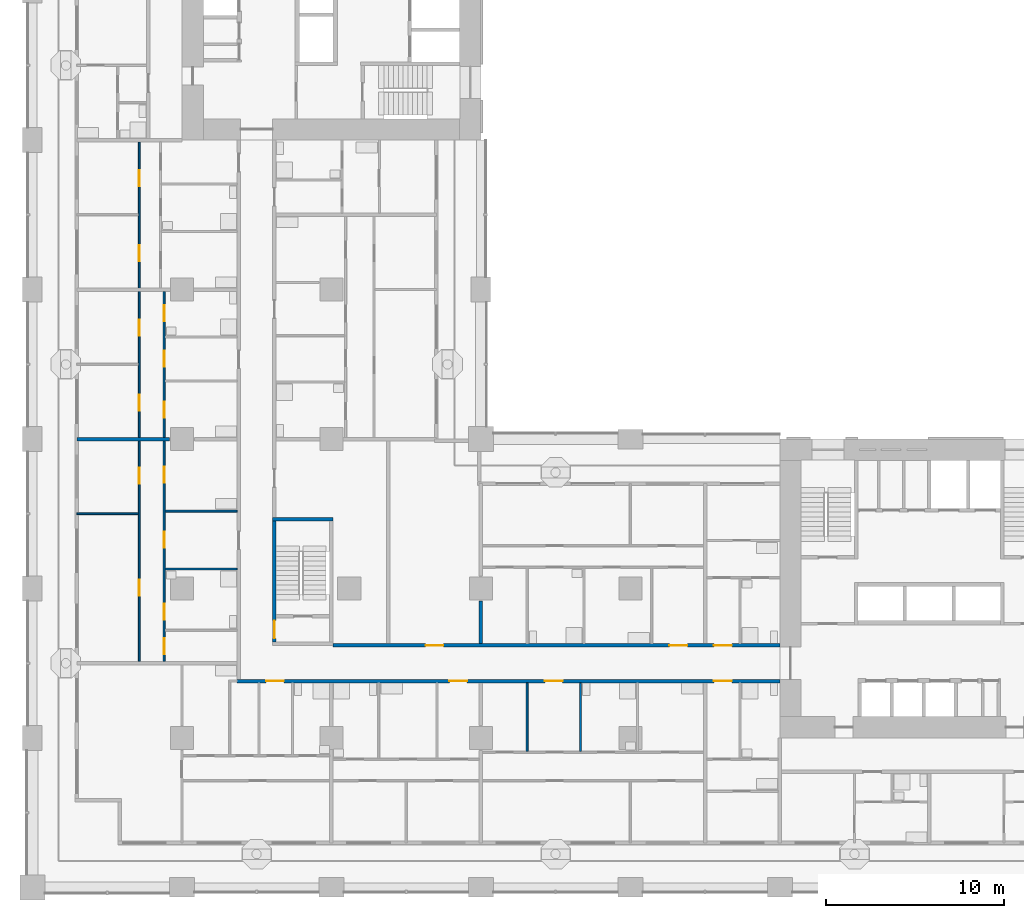
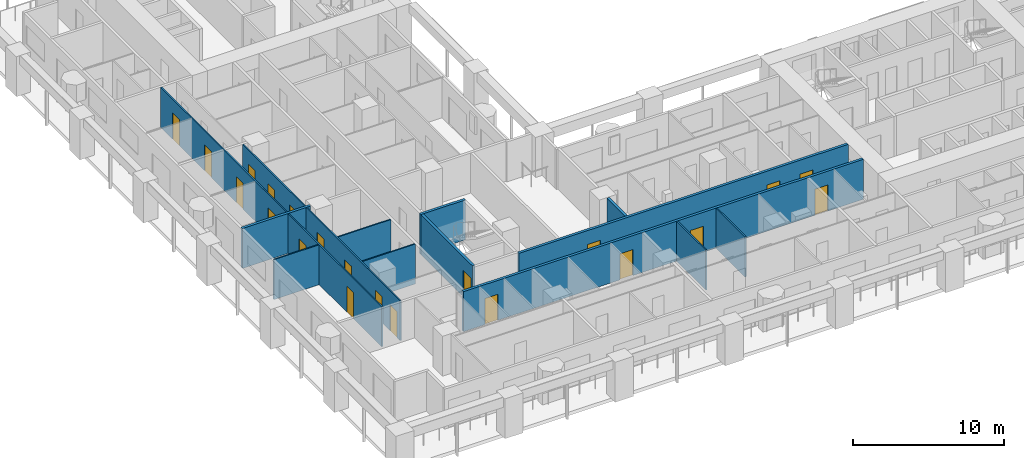
# One storey, part 3 of 22: 21 doors, 13 walls, 21 openings.
"""IFC4 building model written with IfcOpenShell, lengths in metres."""

from ifc_helpers import new_model, si_unit, direction, frame, frame_2d, origin, place, context, subcontext, project, spatial, rectangle, extrude, material, layer, layer_set, type_object, element, fill, save


model = new_model("IFC4")

# Units and contexts
model_context = context("Model", 3, precision=1e-05, world=origin(), true_north=direction((0.0, 1.0)))
body_context = subcontext(model_context, "Body", "Model", "MODEL_VIEW")
ifc_project = project(units=[si_unit("LENGTHUNIT", "METRE"), si_unit("AREAUNIT", "SQUARE_METRE"), si_unit("VOLUMEUNIT", "CUBIC_METRE"), si_unit("PLANEANGLEUNIT", "RADIAN"), si_unit("MASSUNIT", "GRAM", prefix="KILO")], contexts=[model_context])

# Site, building, storey
site_placement = place(None, origin())
site = spatial("IfcSite", under=ifc_project, at=site_placement, CompositionType="ELEMENT")
building_placement = place(site_placement, origin())
building = spatial("IfcBuilding", under=site, at=building_placement, Name="Vermilion Gate Residences", CompositionType="ELEMENT")
storey_placement = place(building_placement, frame((0.0, 0.0, 60.199951171875)))
storey = spatial("IfcBuildingStorey", under=building, at=storey_placement, Name="L14", CompositionType="ELEMENT", Elevation=60.199951171875)

# Walls
ifc_material_1 = material(Name="Plasterboard on steel studs", Category="steel")
ifc_layer_1 = layer(ifc_material_1, 0.10009765625)
ifc_layer_set_1 = layer_set([ifc_layer_1], Name="PARTITION 100")
wall_type_1 = type_object("IfcWallType", Name="PARTITION 100", PredefinedType="PARTITIONING", material=ifc_layer_set_1)
wall_1_placement = place(storey_placement, frame((7.449951171875, 17.89990234375, 0.0), z_axis=(0.0, 0.0, 1.0), x_axis=(1.0, 0.0, 0.0)))
element("IfcWall", 1, at=wall_1_placement, inside=storey, type_object=wall_type_1, Name="Partition", PredefinedType="PARTITIONING", context=body_context, shape_type="SweptSolid", body=[
    extrude(rectangle(XDim=4.050048828125, YDim=0.10009765625, at=frame_2d((2.02490234375, 0.0))), origin(), (0.0, 0.0, 1.0), 3.219970703125),
])
wall_2_placement = place(storey_placement, frame((2.5, 21.0, 0.0), z_axis=(0.0, 0.0, 1.0), x_axis=(1.0, 0.0, 0.0)))
element("IfcWall", 2, at=wall_2_placement, inside=storey, type_object=wall_type_1, Name="Partition", PredefinedType="PARTITIONING", context=body_context, shape_type="SweptSolid", body=[
    extrude(rectangle(XDim=3.449951171875, YDim=0.10009765625, at=frame_2d((1.72509765625, 0.0))), origin(), (0.0, 0.0, 1.0), 3.219970703125),
])
wall_3_placement = place(storey_placement, frame((7.449951171875, 21.14990234375, 0.0), z_axis=(0.0, 0.0, 1.0), x_axis=(1.0, 0.0, 0.0)))
element("IfcWall", 3, at=wall_3_placement, inside=storey, type_object=wall_type_1, Name="Partition", PredefinedType="PARTITIONING", context=body_context, shape_type="SweptSolid", body=[
    extrude(rectangle(XDim=4.050048828125, YDim=0.10009765625, at=frame_2d((2.02490234375, 0.0))), origin(), (0.0, 0.0, 1.0), 3.219970703125),
])

# Wall, openings, doors
wall_4_placement = place(storey_placement, frame((6.0, 12.699951171875, 0.0), z_axis=(0.0, 0.0, 1.0), x_axis=(0.0, 1.0, 0.0)))
wall_4 = element("IfcWall", 4, at=wall_4_placement, inside=storey, type_object=wall_type_1, Name="Partition", PredefinedType="PARTITIONING", context=body_context, shape_type="SweptSolid", body=[
    extrude(rectangle(XDim=29.199951171875, YDim=0.10009765625, at=frame_2d((14.60009765625, 0.0))), origin(), (0.0, 0.0, 1.0), 3.219970703125),
])
opening_1_placement = place(wall_4_placement, frame((3.699951171875, 0.0, 0.0)))
opening_1 = element("IfcOpeningElement", 5, at=opening_1_placement, cuts=wall_4, Name="Opening DA13047", PredefinedType="OPENING", context=body_context, shape_type="SweptSolid", body=[
    extrude(rectangle(XDim=0.89990234375, YDim=2.10009765625, at=frame_2d((0.449951171875, 1.050048828125))), frame((0.0, 0.06005859375, 0.0), z_axis=(0.0, -1.0, 0.0), x_axis=(1.0, 0.0, 0.0)), (0.0, 0.0, 1.0), 0.1201171875),
])
opening_2_placement = place(wall_4_placement, frame((10.0, 0.0, 0.0)))
opening_2 = element("IfcOpeningElement", 6, at=opening_2_placement, cuts=wall_4, Name="Opening DA13048", PredefinedType="OPENING", context=body_context, shape_type="SweptSolid", body=[
    extrude(rectangle(XDim=0.89990234375, YDim=2.10009765625, at=frame_2d((0.449951171875, 1.050048828125))), frame((0.0, 0.06005859375, 0.0), z_axis=(0.0, -1.0, 0.0), x_axis=(1.0, 0.0, 0.0)), (0.0, 0.0, 1.0), 0.1201171875),
])
opening_3_placement = place(wall_4_placement, frame((14.10009765625, 0.0, 0.0)))
opening_3 = element("IfcOpeningElement", 7, at=opening_3_placement, cuts=wall_4, Name="Opening DA13049", PredefinedType="OPENING", context=body_context, shape_type="SweptSolid", body=[
    extrude(rectangle(XDim=0.89990234375, YDim=2.10009765625, at=frame_2d((0.449951171875, 1.050048828125))), frame((0.0, 0.06005859375, 0.0), z_axis=(0.0, -1.0, 0.0), x_axis=(1.0, 0.0, 0.0)), (0.0, 0.0, 1.0), 0.1201171875),
])
opening_4_placement = place(wall_4_placement, frame((18.300048828125, 0.0, 0.0)))
opening_4 = element("IfcOpeningElement", 8, at=opening_4_placement, cuts=wall_4, Name="Opening DA13050", PredefinedType="OPENING", context=body_context, shape_type="SweptSolid", body=[
    extrude(rectangle(XDim=0.89990234375, YDim=2.10009765625, at=frame_2d((0.449951171875, 1.050048828125))), frame((0.0, 0.06005859375, 0.0), z_axis=(0.0, -1.0, 0.0), x_axis=(1.0, 0.0, 0.0)), (0.0, 0.0, 1.0), 0.1201171875),
])
opening_5_placement = place(wall_4_placement, frame((22.5, 0.0, 0.0)))
opening_5 = element("IfcOpeningElement", 9, at=opening_5_placement, cuts=wall_4, Name="Opening DA13051", PredefinedType="OPENING", context=body_context, shape_type="SweptSolid", body=[
    extrude(rectangle(XDim=0.89990234375, YDim=2.10009765625, at=frame_2d((0.449951171875, 1.050048828125))), frame((0.0, 0.06005859375, 0.0), z_axis=(0.0, -1.0, 0.0), x_axis=(1.0, 0.0, 0.0)), (0.0, 0.0, 1.0), 0.1201171875),
])
opening_6_placement = place(wall_4_placement, frame((26.699951171875, 0.0, 0.0)))
opening_6 = element("IfcOpeningElement", 10, at=opening_6_placement, cuts=wall_4, Name="Opening DA13052", PredefinedType="OPENING", context=body_context, shape_type="SweptSolid", body=[
    extrude(rectangle(XDim=0.89990234375, YDim=2.10009765625, at=frame_2d((0.449951171875, 1.050048828125))), frame((0.0, 0.06005859375, 0.0), z_axis=(0.0, -1.0, 0.0), x_axis=(1.0, 0.0, 0.0)), (0.0, 0.0, 1.0), 0.1201171875),
])
ifc_material_2 = material(Name="Timber", Category="wood")
door_type_1 = type_object("IfcDoorType", Name="INTERIOR DOOR 900 X 2100", OperationType="SINGLE_SWING_LEFT", PredefinedType="DOOR", material=ifc_material_2)
door_1_placement = place(opening_1_placement, origin())
door_1 = element("IfcDoor", 11, at=door_1_placement, inside=storey, type_object=door_type_1, Name="Interior door", OperationType="SINGLE_SWING_LEFT", OverallHeight=2.10009765625, OverallWidth=0.89990234375, PredefinedType="DOOR", context=body_context, shape_type="SweptSolid", body=[
    extrude(rectangle(XDim=0.89990234375, YDim=2.10009765625, at=frame_2d((0.449951171875, 1.050048828125))), frame((0.0, 0.02490234375, 0.0), z_axis=(0.0, -1.0, 0.0), x_axis=(1.0, 0.0, 0.0)), (0.0, 0.0, 1.0), 0.050048828125),
])
fill(opening_1, door_1)
door_2_placement = place(opening_2_placement, origin())
door_2 = element("IfcDoor", 12, at=door_2_placement, inside=storey, type_object=door_type_1, Name="Interior door", OperationType="SINGLE_SWING_RIGHT", OverallHeight=2.10009765625, OverallWidth=0.89990234375, PredefinedType="DOOR", context=body_context, shape_type="SweptSolid", body=[
    extrude(rectangle(XDim=0.89990234375, YDim=2.10009765625, at=frame_2d((0.449951171875, 1.050048828125))), frame((0.0, 0.02490234375, 0.0), z_axis=(0.0, -1.0, 0.0), x_axis=(1.0, 0.0, 0.0)), (0.0, 0.0, 1.0), 0.050048828125),
])
fill(opening_2, door_2)
door_3_placement = place(opening_3_placement, origin())
door_3 = element("IfcDoor", 13, at=door_3_placement, inside=storey, type_object=door_type_1, Name="Interior door", OperationType="SINGLE_SWING_LEFT", OverallHeight=2.10009765625, OverallWidth=0.89990234375, PredefinedType="DOOR", context=body_context, shape_type="SweptSolid", body=[
    extrude(rectangle(XDim=0.89990234375, YDim=2.10009765625, at=frame_2d((0.449951171875, 1.050048828125))), frame((0.0, 0.02490234375, 0.0), z_axis=(0.0, -1.0, 0.0), x_axis=(1.0, 0.0, 0.0)), (0.0, 0.0, 1.0), 0.050048828125),
])
fill(opening_3, door_3)
door_4_placement = place(opening_4_placement, origin())
door_4 = element("IfcDoor", 14, at=door_4_placement, inside=storey, type_object=door_type_1, Name="Interior door", OperationType="SINGLE_SWING_LEFT", OverallHeight=2.10009765625, OverallWidth=0.89990234375, PredefinedType="DOOR", context=body_context, shape_type="SweptSolid", body=[
    extrude(rectangle(XDim=0.89990234375, YDim=2.10009765625, at=frame_2d((0.449951171875, 1.050048828125))), frame((0.0, 0.02490234375, 0.0), z_axis=(0.0, -1.0, 0.0), x_axis=(1.0, 0.0, 0.0)), (0.0, 0.0, 1.0), 0.050048828125),
])
fill(opening_4, door_4)
door_5_placement = place(opening_5_placement, origin())
door_5 = element("IfcDoor", 15, at=door_5_placement, inside=storey, type_object=door_type_1, Name="Interior door", OperationType="SINGLE_SWING_LEFT", OverallHeight=2.10009765625, OverallWidth=0.89990234375, PredefinedType="DOOR", context=body_context, shape_type="SweptSolid", body=[
    extrude(rectangle(XDim=0.89990234375, YDim=2.10009765625, at=frame_2d((0.449951171875, 1.050048828125))), frame((0.0, 0.02490234375, 0.0), z_axis=(0.0, -1.0, 0.0), x_axis=(1.0, 0.0, 0.0)), (0.0, 0.0, 1.0), 0.050048828125),
])
fill(opening_5, door_5)
door_6_placement = place(opening_6_placement, origin())
door_6 = element("IfcDoor", 16, at=door_6_placement, inside=storey, type_object=door_type_1, Name="Interior door", OperationType="SINGLE_SWING_LEFT", OverallHeight=2.10009765625, OverallWidth=0.89990234375, PredefinedType="DOOR", context=body_context, shape_type="SweptSolid", body=[
    extrude(rectangle(XDim=0.89990234375, YDim=2.10009765625, at=frame_2d((0.449951171875, 1.050048828125))), frame((0.0, 0.02490234375, 0.0), z_axis=(0.0, -1.0, 0.0), x_axis=(1.0, 0.0, 0.0)), (0.0, 0.0, 1.0), 0.050048828125),
])
fill(opening_6, door_6)

wall_5_placement = place(storey_placement, frame((7.39990234375, 12.699951171875, 0.0), z_axis=(0.0, 0.0, 1.0), x_axis=(0.0, 1.0, 0.0)))
wall_5 = element("IfcWall", 17, at=wall_5_placement, inside=storey, type_object=wall_type_1, Name="Partition", PredefinedType="PARTITIONING", context=body_context, shape_type="SweptSolid", body=[
    extrude(rectangle(XDim=20.800048828125, YDim=0.10009765625, at=frame_2d((10.39990234375, 0.0))), origin(), (0.0, 0.0, 1.0), 3.219970703125),
])
opening_7_placement = place(wall_5_placement, frame((6.39990234375, 0.0, 0.0)))
opening_7 = element("IfcOpeningElement", 18, at=opening_7_placement, cuts=wall_5, Name="Opening DA13058", PredefinedType="OPENING", context=body_context, shape_type="SweptSolid", body=[
    extrude(rectangle(XDim=0.89990234375, YDim=2.10009765625, at=frame_2d((0.449951171875, 1.050048828125))), frame((0.0, 0.06005859375, 0.0), z_axis=(0.0, -1.0, 0.0), x_axis=(1.0, 0.0, 0.0)), (0.0, 0.0, 1.0), 0.1201171875),
])
opening_8_placement = place(wall_5_placement, frame((0.39990234375, 0.0, 0.0)))
opening_8 = element("IfcOpeningElement", 19, at=opening_8_placement, cuts=wall_5, Name="Opening DA13059", PredefinedType="OPENING", context=body_context, shape_type="SweptSolid", body=[
    extrude(rectangle(XDim=0.89990234375, YDim=2.10009765625, at=frame_2d((0.449951171875, 1.050048828125))), frame((0.0, 0.06005859375, 0.0), z_axis=(0.0, -1.0, 0.0), x_axis=(1.0, 0.0, 0.0)), (0.0, 0.0, 1.0), 0.1201171875),
])
opening_9_placement = place(wall_5_placement, frame((2.35009765625, 0.0, 0.0)))
opening_9 = element("IfcOpeningElement", 20, at=opening_9_placement, cuts=wall_5, Name="Opening DA13060", PredefinedType="OPENING", context=body_context, shape_type="SweptSolid", body=[
    extrude(rectangle(XDim=0.89990234375, YDim=2.10009765625, at=frame_2d((0.449951171875, 1.050048828125))), frame((0.0, 0.06005859375, 0.0), z_axis=(0.0, -1.0, 0.0), x_axis=(1.0, 0.0, 0.0)), (0.0, 0.0, 1.0), 0.1201171875),
])
opening_10_placement = place(wall_5_placement, frame((10.050048828125, 0.0, 0.0)))
opening_10 = element("IfcOpeningElement", 21, at=opening_10_placement, cuts=wall_5, Name="Opening DA13061", PredefinedType="OPENING", context=body_context, shape_type="SweptSolid", body=[
    extrude(rectangle(XDim=0.89990234375, YDim=2.10009765625, at=frame_2d((0.449951171875, 1.050048828125))), frame((0.0, 0.06005859375, 0.0), z_axis=(0.0, -1.0, 0.0), x_axis=(1.0, 0.0, 0.0)), (0.0, 0.0, 1.0), 0.1201171875),
])
opening_11_placement = place(wall_5_placement, frame((16.56689453125, 0.0, 0.0)))
opening_11 = element("IfcOpeningElement", 22, at=opening_11_placement, cuts=wall_5, Name="Opening DA13062", PredefinedType="OPENING", context=body_context, shape_type="SweptSolid", body=[
    extrude(rectangle(XDim=0.89990234375, YDim=2.10009765625, at=frame_2d((0.449951171875, 1.050048828125))), frame((0.0, 0.06005859375, 0.0), z_axis=(0.0, -1.0, 0.0), x_axis=(1.0, 0.0, 0.0)), (0.0, 0.0, 1.0), 0.1201171875),
])
opening_12_placement = place(wall_5_placement, frame((13.699951171875, 0.0, 0.0)))
opening_12 = element("IfcOpeningElement", 23, at=opening_12_placement, cuts=wall_5, Name="Opening DA13063", PredefinedType="OPENING", context=body_context, shape_type="SweptSolid", body=[
    extrude(rectangle(XDim=0.89990234375, YDim=2.10009765625, at=frame_2d((0.449951171875, 1.050048828125))), frame((0.0, 0.06005859375, 0.0), z_axis=(0.0, -1.0, 0.0), x_axis=(1.0, 0.0, 0.0)), (0.0, 0.0, 1.0), 0.1201171875),
])
opening_13_placement = place(wall_5_placement, frame((19.133056640625, 0.0, 0.0)))
opening_13 = element("IfcOpeningElement", 24, at=opening_13_placement, cuts=wall_5, Name="Opening DA13064", PredefinedType="OPENING", context=body_context, shape_type="SweptSolid", body=[
    extrude(rectangle(XDim=0.89990234375, YDim=2.10009765625, at=frame_2d((0.449951171875, 1.050048828125))), frame((0.0, 0.06005859375, 0.0), z_axis=(0.0, -1.0, 0.0), x_axis=(1.0, 0.0, 0.0)), (0.0, 0.0, 1.0), 0.1201171875),
])
door_7_placement = place(opening_7_placement, frame((0.89990234375, 0.0, 0.0), z_axis=(0.0, 0.0, 1.0), x_axis=(-1.0, 0.0, 0.0)))
door_7 = element("IfcDoor", 25, at=door_7_placement, inside=storey, type_object=door_type_1, Name="Interior door", OperationType="SINGLE_SWING_LEFT", OverallHeight=2.10009765625, OverallWidth=0.89990234375, PredefinedType="DOOR", context=body_context, shape_type="SweptSolid", body=[
    extrude(rectangle(XDim=0.89990234375, YDim=2.10009765625, at=frame_2d((0.449951171875, 1.050048828125))), frame((0.0, 0.02490234375, 0.0), z_axis=(0.0, -1.0, 0.0), x_axis=(1.0, 0.0, 0.0)), (0.0, 0.0, 1.0), 0.050048828125),
])
fill(opening_7, door_7)
door_8_placement = place(opening_8_placement, frame((0.89990234375, 0.0, 0.0), z_axis=(0.0, 0.0, 1.0), x_axis=(-1.0, 0.0, 0.0)))
door_8 = element("IfcDoor", 26, at=door_8_placement, inside=storey, type_object=door_type_1, Name="Interior door", OperationType="SINGLE_SWING_LEFT", OverallHeight=2.10009765625, OverallWidth=0.89990234375, PredefinedType="DOOR", context=body_context, shape_type="SweptSolid", body=[
    extrude(rectangle(XDim=0.89990234375, YDim=2.10009765625, at=frame_2d((0.449951171875, 1.050048828125))), frame((0.0, 0.02490234375, 0.0), z_axis=(0.0, -1.0, 0.0), x_axis=(1.0, 0.0, 0.0)), (0.0, 0.0, 1.0), 0.050048828125),
])
fill(opening_8, door_8)
door_9_placement = place(opening_9_placement, frame((0.89990234375, 0.0, 0.0), z_axis=(0.0, 0.0, 1.0), x_axis=(-1.0, 0.0, 0.0)))
door_9 = element("IfcDoor", 27, at=door_9_placement, inside=storey, type_object=door_type_1, Name="Interior door", OperationType="SINGLE_SWING_RIGHT", OverallHeight=2.10009765625, OverallWidth=0.89990234375, PredefinedType="DOOR", context=body_context, shape_type="SweptSolid", body=[
    extrude(rectangle(XDim=0.89990234375, YDim=2.10009765625, at=frame_2d((0.449951171875, 1.050048828125))), frame((0.0, 0.02490234375, 0.0), z_axis=(0.0, -1.0, 0.0), x_axis=(1.0, 0.0, 0.0)), (0.0, 0.0, 1.0), 0.050048828125),
])
fill(opening_9, door_9)
door_10_placement = place(opening_10_placement, frame((0.89990234375, 0.0, 0.0), z_axis=(0.0, 0.0, 1.0), x_axis=(-1.0, 0.0, 0.0)))
door_10 = element("IfcDoor", 28, at=door_10_placement, inside=storey, type_object=door_type_1, Name="Interior door", OperationType="SINGLE_SWING_LEFT", OverallHeight=2.10009765625, OverallWidth=0.89990234375, PredefinedType="DOOR", context=body_context, shape_type="SweptSolid", body=[
    extrude(rectangle(XDim=0.89990234375, YDim=2.10009765625, at=frame_2d((0.449951171875, 1.050048828125))), frame((0.0, 0.02490234375, 0.0), z_axis=(0.0, -1.0, 0.0), x_axis=(1.0, 0.0, 0.0)), (0.0, 0.0, 1.0), 0.050048828125),
])
fill(opening_10, door_10)
door_11_placement = place(opening_11_placement, frame((0.89990234375, 0.0, 0.0), z_axis=(0.0, 0.0, 1.0), x_axis=(-1.0, 0.0, 0.0)))
door_11 = element("IfcDoor", 29, at=door_11_placement, inside=storey, type_object=door_type_1, Name="Interior door", OperationType="SINGLE_SWING_LEFT", OverallHeight=2.10009765625, OverallWidth=0.89990234375, PredefinedType="DOOR", context=body_context, shape_type="SweptSolid", body=[
    extrude(rectangle(XDim=0.89990234375, YDim=2.10009765625, at=frame_2d((0.449951171875, 1.050048828125))), frame((0.0, 0.02490234375, 0.0), z_axis=(0.0, -1.0, 0.0), x_axis=(1.0, 0.0, 0.0)), (0.0, 0.0, 1.0), 0.050048828125),
])
fill(opening_11, door_11)
door_12_placement = place(opening_12_placement, frame((0.89990234375, 0.0, 0.0), z_axis=(0.0, 0.0, 1.0), x_axis=(-1.0, 0.0, 0.0)))
door_12 = element("IfcDoor", 30, at=door_12_placement, inside=storey, type_object=door_type_1, Name="Interior door", OperationType="SINGLE_SWING_RIGHT", OverallHeight=2.10009765625, OverallWidth=0.89990234375, PredefinedType="DOOR", context=body_context, shape_type="SweptSolid", body=[
    extrude(rectangle(XDim=0.89990234375, YDim=2.10009765625, at=frame_2d((0.449951171875, 1.050048828125))), frame((0.0, 0.02490234375, 0.0), z_axis=(0.0, -1.0, 0.0), x_axis=(1.0, 0.0, 0.0)), (0.0, 0.0, 1.0), 0.050048828125),
])
fill(opening_12, door_12)
door_13_placement = place(opening_13_placement, frame((0.89990234375, 0.0, 0.0), z_axis=(0.0, 0.0, 1.0), x_axis=(-1.0, 0.0, 0.0)))
door_13 = element("IfcDoor", 31, at=door_13_placement, inside=storey, type_object=door_type_1, Name="Interior door", OperationType="SINGLE_SWING_RIGHT", OverallHeight=2.10009765625, OverallWidth=0.89990234375, PredefinedType="DOOR", context=body_context, shape_type="SweptSolid", body=[
    extrude(rectangle(XDim=0.89990234375, YDim=2.10009765625, at=frame_2d((0.449951171875, 1.050048828125))), frame((0.0, 0.02490234375, 0.0), z_axis=(0.0, -1.0, 0.0), x_axis=(1.0, 0.0, 0.0)), (0.0, 0.0, 1.0), 0.050048828125),
])
fill(opening_13, door_13)

# Walls
for number, where, z_axis, x_axis, name in (
    (32, (27.800048828125, 7.64990234375, 0.0), (0.0, 0.0, 1.0), (0.0, 1.0, 0.0), "Partition"),
    (33, (30.800048828125, 7.64990234375, 0.0), (0.0, 0.0, 1.0), (0.0, 1.0, 0.0), "Partition"),
):
    element("IfcWall", number, at=place(storey_placement, frame(where, z_axis=z_axis, x_axis=x_axis)), inside=storey, type_object=wall_type_1, Name=name, PredefinedType="PARTITIONING", context=body_context, shape_type="SweptSolid", body=[
        extrude(rectangle(XDim=3.85009765625, YDim=0.10009765625, at=frame_2d((1.925048828125, 0.0))), origin(), (0.0, 0.0, 1.0), 3.219970703125),
    ])

# Wall, openings, doors
ifc_material_3 = material(Name="Fire-rated plasterboard on steel studs", Category="steel")
ifc_layer_2 = layer(ifc_material_3, 0.199951171875)
ifc_layer_set_2 = layer_set([ifc_layer_2], Name="PARTY WALL 200 EI 120")
wall_type_2 = type_object("IfcWallType", Name="PARTY WALL 200 EI 120", PredefinedType="PARTITIONING", material=ifc_layer_set_2)
wall_6_placement = place(storey_placement, frame((11.5, 11.60009765625, 0.0), z_axis=(0.0, 0.0, 1.0), x_axis=(1.0, 0.0, 0.0)))
wall_6 = element("IfcWall", 34, at=wall_6_placement, inside=storey, type_object=wall_type_2, Name="Party and corridor wall", PredefinedType="PARTITIONING", context=body_context, shape_type="SweptSolid", body=[
    extrude(rectangle(XDim=30.5, YDim=0.199951171875, at=frame_2d((15.25, 0.0))), origin(), (0.0, 0.0, 1.0), 3.219970703125),
])
opening_14_placement = place(wall_6_placement, frame((1.6259765625, 0.0, 0.0)))
opening_14 = element("IfcOpeningElement", 35, at=opening_14_placement, cuts=wall_6, Name="Opening DA13027", PredefinedType="OPENING", context=body_context, shape_type="SweptSolid", body=[
    extrude(rectangle(XDim=1.0, YDim=2.10009765625, at=frame_2d((0.5, 1.050048828125))), frame((0.0, 0.10986328125, 0.0), z_axis=(0.0, -1.0, 0.0), x_axis=(1.0, 0.0, 0.0)), (0.0, 0.0, 1.0), 0.219970703125),
])
opening_15_placement = place(wall_6_placement, frame((11.93310546875, 0.0, 0.0)))
opening_15 = element("IfcOpeningElement", 36, at=opening_15_placement, cuts=wall_6, Name="Opening DA13028", PredefinedType="OPENING", context=body_context, shape_type="SweptSolid", body=[
    extrude(rectangle(XDim=1.0, YDim=2.10009765625, at=frame_2d((0.5, 1.050048828125))), frame((0.0, 0.10986328125, 0.0), z_axis=(0.0, -1.0, 0.0), x_axis=(1.0, 0.0, 0.0)), (0.0, 0.0, 1.0), 0.219970703125),
])
opening_16_placement = place(wall_6_placement, frame((17.300048828125, 0.0, 0.0)))
opening_16 = element("IfcOpeningElement", 37, at=opening_16_placement, cuts=wall_6, Name="Opening DA13029", PredefinedType="OPENING", context=body_context, shape_type="SweptSolid", body=[
    extrude(rectangle(XDim=1.0, YDim=2.10009765625, at=frame_2d((0.5, 1.050048828125))), frame((0.0, 0.10986328125, 0.0), z_axis=(0.0, -1.0, 0.0), x_axis=(1.0, 0.0, 0.0)), (0.0, 0.0, 1.0), 0.219970703125),
])
opening_17_placement = place(wall_6_placement, frame((26.800048828125, 0.0, 0.0)))
opening_17 = element("IfcOpeningElement", 38, at=opening_17_placement, cuts=wall_6, Name="Opening DA13030", PredefinedType="OPENING", context=body_context, shape_type="SweptSolid", body=[
    extrude(rectangle(XDim=1.0, YDim=2.10009765625, at=frame_2d((0.5, 1.050048828125))), frame((0.0, 0.10986328125, 0.0), z_axis=(0.0, -1.0, 0.0), x_axis=(1.0, 0.0, 0.0)), (0.0, 0.0, 1.0), 0.219970703125),
])
ifc_material_4 = material(Name="Steel", Category="steel")
door_type_2 = type_object("IfcDoorType", Name="ENTRANCE DOOR 1000 X 2100 FD30", OperationType="SINGLE_SWING_LEFT", PredefinedType="DOOR", material=ifc_material_4)
door_14_placement = place(opening_14_placement, frame((1.0, 0.0, 0.0), z_axis=(0.0, 0.0, 1.0), x_axis=(-1.0, 0.0, 0.0)))
door_14 = element("IfcDoor", 39, at=door_14_placement, inside=storey, type_object=door_type_2, Name="Entrance door", OperationType="SINGLE_SWING_RIGHT", OverallHeight=2.10009765625, OverallWidth=1.0, PredefinedType="DOOR", context=body_context, shape_type="SweptSolid", body=[
    extrude(rectangle(XDim=1.0, YDim=2.10009765625, at=frame_2d((0.5, 1.050048828125))), frame((0.0, 0.02490234375, 0.0), z_axis=(0.0, -1.0, 0.0), x_axis=(1.0, 0.0, 0.0)), (0.0, 0.0, 1.0), 0.050048828125),
])
fill(opening_14, door_14)
door_15_placement = place(opening_15_placement, frame((1.0, 0.0, 0.0), z_axis=(0.0, 0.0, 1.0), x_axis=(-1.0, 0.0, 0.0)))
door_15 = element("IfcDoor", 40, at=door_15_placement, inside=storey, type_object=door_type_2, Name="Entrance door", OperationType="SINGLE_SWING_RIGHT", OverallHeight=2.10009765625, OverallWidth=1.0, PredefinedType="DOOR", context=body_context, shape_type="SweptSolid", body=[
    extrude(rectangle(XDim=1.0, YDim=2.10009765625, at=frame_2d((0.5, 1.050048828125))), frame((0.0, 0.02490234375, 0.0), z_axis=(0.0, -1.0, 0.0), x_axis=(1.0, 0.0, 0.0)), (0.0, 0.0, 1.0), 0.050048828125),
])
fill(opening_15, door_15)
door_16_placement = place(opening_16_placement, frame((1.0, 0.0, 0.0), z_axis=(0.0, 0.0, 1.0), x_axis=(-1.0, 0.0, 0.0)))
door_16 = element("IfcDoor", 41, at=door_16_placement, inside=storey, type_object=door_type_2, Name="Entrance door", OperationType="SINGLE_SWING_LEFT", OverallHeight=2.10009765625, OverallWidth=1.0, PredefinedType="DOOR", context=body_context, shape_type="SweptSolid", body=[
    extrude(rectangle(XDim=1.0, YDim=2.10009765625, at=frame_2d((0.5, 1.050048828125))), frame((0.0, 0.02490234375, 0.0), z_axis=(0.0, -1.0, 0.0), x_axis=(1.0, 0.0, 0.0)), (0.0, 0.0, 1.0), 0.050048828125),
])
fill(opening_16, door_16)
door_17_placement = place(opening_17_placement, frame((1.0, 0.0, 0.0), z_axis=(0.0, 0.0, 1.0), x_axis=(-1.0, 0.0, 0.0)))
door_17 = element("IfcDoor", 42, at=door_17_placement, inside=storey, type_object=door_type_2, Name="Entrance door", OperationType="SINGLE_SWING_RIGHT", OverallHeight=2.10009765625, OverallWidth=1.0, PredefinedType="DOOR", context=body_context, shape_type="SweptSolid", body=[
    extrude(rectangle(XDim=1.0, YDim=2.10009765625, at=frame_2d((0.5, 1.050048828125))), frame((0.0, 0.02490234375, 0.0), z_axis=(0.0, -1.0, 0.0), x_axis=(1.0, 0.0, 0.0)), (0.0, 0.0, 1.0), 0.050048828125),
])
fill(opening_17, door_17)

wall_7_placement = place(storey_placement, frame((16.89990234375, 13.60009765625, 0.0), z_axis=(0.0, 0.0, 1.0), x_axis=(1.0, 0.0, 0.0)))
wall_7 = element("IfcWall", 43, at=wall_7_placement, inside=storey, type_object=wall_type_2, Name="Party and corridor wall", PredefinedType="PARTITIONING", context=body_context, shape_type="SweptSolid", body=[
    extrude(rectangle(XDim=25.10009765625, YDim=0.199951171875, at=frame_2d((12.550048828125, 0.0))), origin(), (0.0, 0.0, 1.0), 3.219970703125),
])
opening_18_placement = place(wall_7_placement, frame((18.89990234375, 0.0, 0.0)))
opening_18 = element("IfcOpeningElement", 44, at=opening_18_placement, cuts=wall_7, Name="Opening DA13032", PredefinedType="OPENING", context=body_context, shape_type="SweptSolid", body=[
    extrude(rectangle(XDim=1.0, YDim=2.10009765625, at=frame_2d((0.5, 1.050048828125))), frame((0.0, 0.10986328125, 0.0), z_axis=(0.0, -1.0, 0.0), x_axis=(1.0, 0.0, 0.0)), (0.0, 0.0, 1.0), 0.219970703125),
])
opening_19_placement = place(wall_7_placement, frame((21.39990234375, 0.0, 0.0)))
opening_19 = element("IfcOpeningElement", 45, at=opening_19_placement, cuts=wall_7, Name="Opening DA13033", PredefinedType="OPENING", context=body_context, shape_type="SweptSolid", body=[
    extrude(rectangle(XDim=1.0, YDim=2.10009765625, at=frame_2d((0.5, 1.050048828125))), frame((0.0, 0.10986328125, 0.0), z_axis=(0.0, -1.0, 0.0), x_axis=(1.0, 0.0, 0.0)), (0.0, 0.0, 1.0), 0.219970703125),
])
opening_20_placement = place(wall_7_placement, frame((5.199951171875, 0.0, 0.0)))
opening_20 = element("IfcOpeningElement", 46, at=opening_20_placement, cuts=wall_7, Name="Opening DA13034", PredefinedType="OPENING", context=body_context, shape_type="SweptSolid", body=[
    extrude(rectangle(XDim=1.0, YDim=2.10009765625, at=frame_2d((0.5, 1.050048828125))), frame((0.0, 0.10986328125, 0.0), z_axis=(0.0, -1.0, 0.0), x_axis=(1.0, 0.0, 0.0)), (0.0, 0.0, 1.0), 0.219970703125),
])
door_18_placement = place(opening_18_placement, origin())
door_18 = element("IfcDoor", 47, at=door_18_placement, inside=storey, type_object=door_type_2, Name="Entrance door", OperationType="SINGLE_SWING_RIGHT", OverallHeight=2.10009765625, OverallWidth=1.0, PredefinedType="DOOR", context=body_context, shape_type="SweptSolid", body=[
    extrude(rectangle(XDim=1.0, YDim=2.10009765625, at=frame_2d((0.5, 1.050048828125))), frame((0.0, 0.02490234375, 0.0), z_axis=(0.0, -1.0, 0.0), x_axis=(1.0, 0.0, 0.0)), (0.0, 0.0, 1.0), 0.050048828125),
])
fill(opening_18, door_18)
door_19_placement = place(opening_19_placement, origin())
door_19 = element("IfcDoor", 48, at=door_19_placement, inside=storey, type_object=door_type_2, Name="Entrance door", OperationType="SINGLE_SWING_LEFT", OverallHeight=2.10009765625, OverallWidth=1.0, PredefinedType="DOOR", context=body_context, shape_type="SweptSolid", body=[
    extrude(rectangle(XDim=1.0, YDim=2.10009765625, at=frame_2d((0.5, 1.050048828125))), frame((0.0, 0.02490234375, 0.0), z_axis=(0.0, -1.0, 0.0), x_axis=(1.0, 0.0, 0.0)), (0.0, 0.0, 1.0), 0.050048828125),
])
fill(opening_19, door_19)
door_20_placement = place(opening_20_placement, origin())
door_20 = element("IfcDoor", 49, at=door_20_placement, inside=storey, type_object=door_type_2, Name="Entrance door", OperationType="SINGLE_SWING_LEFT", OverallHeight=2.10009765625, OverallWidth=1.0, PredefinedType="DOOR", context=body_context, shape_type="SweptSolid", body=[
    extrude(rectangle(XDim=1.0, YDim=2.10009765625, at=frame_2d((0.5, 1.050048828125))), frame((0.0, 0.02490234375, 0.0), z_axis=(0.0, -1.0, 0.0), x_axis=(1.0, 0.0, 0.0)), (0.0, 0.0, 1.0), 0.050048828125),
])
fill(opening_20, door_20)

# Walls
wall_8_placement = place(storey_placement, frame((2.5, 25.199951171875, 0.0), z_axis=(0.0, 0.0, 1.0), x_axis=(1.0, 0.0, 0.0)))
element("IfcWall", 50, at=wall_8_placement, inside=storey, type_object=wall_type_2, Name="Party and corridor wall", PredefinedType="PARTITIONING", context=body_context, shape_type="SweptSolid", body=[
    extrude(rectangle(XDim=5.199951171875, YDim=0.199951171875, at=frame_2d((2.60009765625, 0.0))), origin(), (0.0, 0.0, 1.0), 3.219970703125),
])
wall_9_placement = place(storey_placement, frame((25.199951171875, 13.699951171875, 0.0), z_axis=(0.0, 0.0, 1.0), x_axis=(0.0, 1.0, 0.0)))
element("IfcWall", 51, at=wall_9_placement, inside=storey, type_object=wall_type_2, Name="Party and corridor wall", PredefinedType="PARTITIONING", context=body_context, shape_type="SweptSolid", body=[
    extrude(rectangle(XDim=2.400146484375, YDim=0.199951171875, at=frame_2d((1.2001953125, 0.0))), origin(), (0.0, 0.0, 1.0), 3.219970703125),
])

# Wall, opening, door
ifc_material_5 = material(Name="Concrete C60", Category="concrete")
ifc_layer_3 = layer(ifc_material_5, 0.199951171875)
ifc_layer_set_3 = layer_set([ifc_layer_3], Name="RC CORE INTERNAL WALL 200 C60")
wall_type_3 = type_object("IfcWallType", Name="RC CORE INTERNAL WALL 200 C60", PredefinedType="SHEAR", material=ifc_layer_set_3)
wall_10_placement = place(storey_placement, frame((13.60009765625, 13.800048828125, 0.0), z_axis=(0.0, 0.0, 1.0), x_axis=(0.0, 1.0, 0.0)))
wall_10 = element("IfcWall", 52, at=wall_10_placement, inside=storey, type_object=wall_type_3, Name="Core internal wall C14-W", PredefinedType="SHEAR", context=body_context, shape_type="SweptSolid", body=[
    extrude(rectangle(XDim=6.800048828125, YDim=0.199951171875, at=frame_2d((3.39990234375, 0.0))), origin(), (0.0, 0.0, 1.0), 3.219970703125),
])
opening_21_placement = place(wall_10_placement, frame((0.199951171875, 0.0, 0.0)))
opening_21 = element("IfcOpeningElement", 53, at=opening_21_placement, cuts=wall_10, Name="Opening DK14201", PredefinedType="OPENING", context=body_context, shape_type="SweptSolid", body=[
    extrude(rectangle(XDim=1.0, YDim=2.10009765625, at=frame_2d((0.5, 1.050048828125))), frame((0.0, 0.10986328125, 0.0), z_axis=(0.0, -1.0, 0.0), x_axis=(1.0, 0.0, 0.0)), (0.0, 0.0, 1.0), 0.219970703125),
])
ifc_material_6 = material(Name="Steel", Category="steel")
door_type_3 = type_object("IfcDoorType", Name="FIRE DOOR FD60 1000 X 2100", OperationType="SINGLE_SWING_LEFT", PredefinedType="DOOR", material=ifc_material_6)
door_21_placement = place(opening_21_placement, frame((1.0, 0.0, 0.0), z_axis=(0.0, 0.0, 1.0), x_axis=(-1.0, 0.0, 0.0)))
door_21 = element("IfcDoor", 54, at=door_21_placement, inside=storey, type_object=door_type_3, Name="Stair vestibule door C14", OperationType="SINGLE_SWING_LEFT", OverallHeight=2.10009765625, OverallWidth=1.0, PredefinedType="DOOR", context=body_context, shape_type="SweptSolid", body=[
    extrude(rectangle(XDim=1.0, YDim=2.10009765625, at=frame_2d((0.5, 1.050048828125))), frame((0.0, 0.02490234375, 0.0), z_axis=(0.0, -1.0, 0.0), x_axis=(1.0, 0.0, 0.0)), (0.0, 0.0, 1.0), 0.050048828125),
])
fill(opening_21, door_21)

# Wall
wall_11_placement = place(storey_placement, frame((13.5, 20.699951171875, 0.0), z_axis=(0.0, 0.0, 1.0), x_axis=(1.0, 0.0, 0.0)))
element("IfcWall", 55, at=wall_11_placement, inside=storey, type_object=wall_type_3, Name="Core internal wall C14-N", PredefinedType="SHEAR", context=body_context, shape_type="SweptSolid", body=[
    extrude(rectangle(XDim=3.39990234375, YDim=0.199951171875, at=frame_2d((1.699951171875, 0.0))), origin(), (0.0, 0.0, 1.0), 3.219970703125),
])

save(model, "model.ifc")
